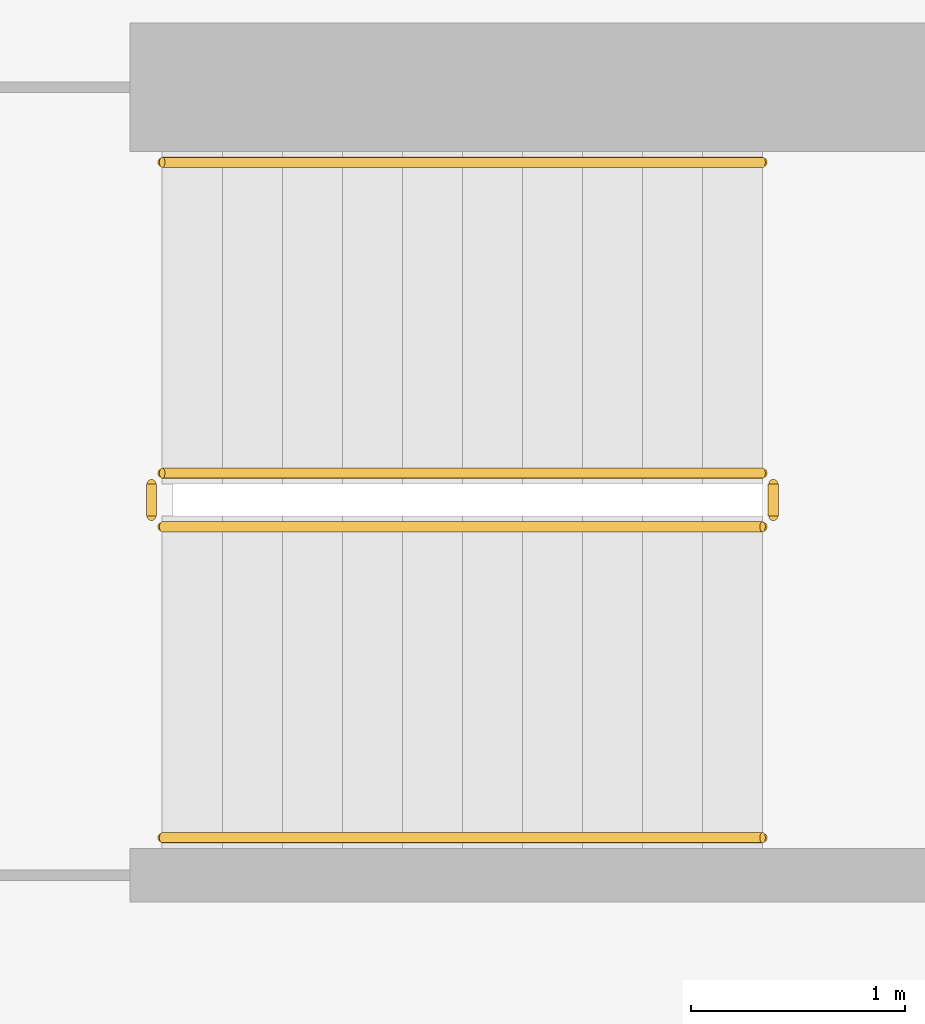
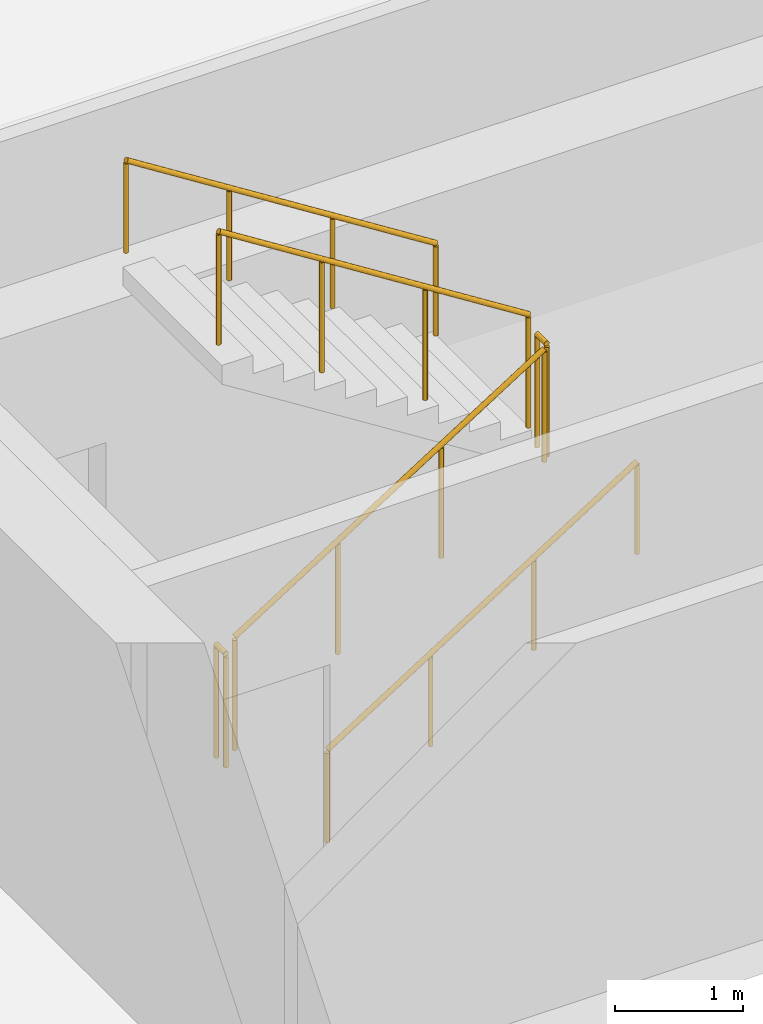
# One storey, part 9 of 11: 6 railings.
"""IFC4 building model written with IfcOpenShell, lengths in metres."""

from ifc_helpers import new_model, si_unit, direction, frame, origin, origin_2d, place, context, subcontext, project, spatial, circle, extrude, material, type_object, element, save


model = new_model("IFC4")

# Units and contexts
model_context = context("Model", 3, precision=1e-05, world=origin(), true_north=direction((0.0, 1.0)))
body_context = subcontext(model_context, "Body", "Model", "MODEL_VIEW")
ifc_project = project(units=[si_unit("LENGTHUNIT", "METRE"), si_unit("AREAUNIT", "SQUARE_METRE"), si_unit("VOLUMEUNIT", "CUBIC_METRE"), si_unit("PLANEANGLEUNIT", "RADIAN"), si_unit("MASSUNIT", "GRAM", prefix="KILO")], contexts=[model_context])

# Site, building, storey
site_placement = place(None, origin())
site = spatial("IfcSite", under=ifc_project, at=site_placement, CompositionType="ELEMENT")
building_placement = place(site_placement, origin())
building = spatial("IfcBuilding", under=site, at=building_placement, Name="Dhurran Vertical Campus", CompositionType="ELEMENT")
storey_placement = place(building_placement, frame((0.0, 0.0, 278.10009765625)))
storey = spatial("IfcBuildingStorey", under=building, at=storey_placement, Name="L69", CompositionType="ELEMENT", Elevation=278.10009765625)

# Railings
ifc_material_1 = material(Name="Stainless steel balustrade", Category="steel")
railing_type_1 = type_object("IfcRailingType", Name="co-RL-GUARD-1100", PredefinedType="GUARDRAIL", material=ifc_material_1)
railing_1_placement = place(storey_placement, frame((-11.10009765625, 8.89990234375, 0.17724609375)))
element("IfcRailing", 1, at=railing_1_placement, inside=storey, type_object=railing_type_1, Name="L69 ST1 stair guard 1", PredefinedType="GUARDRAIL", context=body_context, shape_type="SweptSolid", body=[
    extrude(circle(Radius=0.02392578125, at=origin_2d()), frame((0.0, 0.0, 1.076171875), z_axis=(0.844908973607, 0.0, 0.534910110503), x_axis=(0.0, 1.0, 0.0)), (0.0, 0.0, 1.0), 3.31396484375),
    extrude(circle(Radius=0.02099609375, at=origin_2d()), origin(), (0.0, 0.0, 1.0), 1.052001953125),
    extrude(circle(Radius=0.02099609375, at=origin_2d()), frame((0.933349609375, 0.0, 0.5908203125)), (0.0, 0.0, 1.0), 1.052001953125),
    extrude(circle(Radius=0.02099609375, at=origin_2d()), frame((1.86669921875, 0.0, 1.181884765625)), (0.0, 0.0, 1.0), 1.052001953125),
    extrude(circle(Radius=0.02099609375, at=origin_2d()), frame((2.800048828125, 0.0, 1.772705078125)), (0.0, 0.0, 1.0), 1.052001953125),
])
railing_2_placement = place(storey_placement, frame((-8.25, 8.949951171875, 1.949951171875)))
element("IfcRailing", 2, at=railing_2_placement, inside=storey, type_object=railing_type_1, Name="L69 ST1 stair guard 2", PredefinedType="GUARDRAIL", context=body_context, shape_type="SweptSolid", body=[
    extrude(circle(Radius=0.02392578125, at=origin_2d()), frame((0.0, 0.0, 1.076171875), z_axis=(0.0, 1.0, 0.0), x_axis=(-1.0, 0.0, 0.0)), (0.0, 0.0, 1.0), 0.150146484375),
    extrude(circle(Radius=0.02099609375, at=origin_2d()), origin(), (0.0, 0.0, 1.0), 1.052001953125),
    extrude(circle(Radius=0.02099609375, at=origin_2d()), frame((0.0, 0.150146484375, 0.0)), (0.0, 0.0, 1.0), 1.052001953125),
])
railing_3_placement = place(storey_placement, frame((-8.300048828125, 9.14990234375, 2.127197265625)))
element("IfcRailing", 3, at=railing_3_placement, inside=storey, type_object=railing_type_1, Name="L69 ST1 stair guard 3", PredefinedType="GUARDRAIL", context=body_context, shape_type="SweptSolid", body=[
    extrude(circle(Radius=0.02392578125, at=origin_2d()), frame((0.0, 0.0, 1.076171875), z_axis=(-0.844908973607, 0.0, 0.534910110503), x_axis=(0.0, -1.0, 0.0)), (0.0, 0.0, 1.0), 3.31396484375),
    extrude(circle(Radius=0.02099609375, at=origin_2d()), origin(), (0.0, 0.0, 1.0), 1.052001953125),
    extrude(circle(Radius=0.02099609375, at=origin_2d()), frame((-0.933349609375, 0.0, 0.5908203125)), (0.0, 0.0, 1.0), 1.052001953125),
    extrude(circle(Radius=0.02099609375, at=origin_2d()), frame((-1.86669921875, 0.0, 1.181884765625)), (0.0, 0.0, 1.0), 1.052001953125),
    extrude(circle(Radius=0.02099609375, at=origin_2d()), frame((-2.800048828125, 0.0, 1.772705078125)), (0.0, 0.0, 1.0), 1.052001953125),
])
railing_4_placement = place(storey_placement, frame((-11.14990234375, 8.949951171875, 0.0)))
element("IfcRailing", 4, at=railing_4_placement, inside=storey, type_object=railing_type_1, Name="L69 ST1 stair guard 4", PredefinedType="GUARDRAIL", context=body_context, shape_type="SweptSolid", body=[
    extrude(circle(Radius=0.02392578125, at=origin_2d()), frame((0.0, 0.0, 1.076171875), z_axis=(0.0, 1.0, 0.0), x_axis=(-1.0, 0.0, 0.0)), (0.0, 0.0, 1.0), 0.150146484375),
    extrude(circle(Radius=0.02099609375, at=origin_2d()), origin(), (0.0, 0.0, 1.0), 1.052001953125),
    extrude(circle(Radius=0.02099609375, at=origin_2d()), frame((0.0, 0.150146484375, 0.0)), (0.0, 0.0, 1.0), 1.052001953125),
])
ifc_material_2 = material(Name="Stainless steel handrail", Category="steel")
railing_type_2 = type_object("IfcRailingType", Name="co-RL-HANDRAIL-900", PredefinedType="HANDRAIL", material=ifc_material_2)
railing_5_placement = place(storey_placement, frame((-11.10009765625, 7.449951171875, 0.17724609375)))
element("IfcRailing", 5, at=railing_5_placement, inside=storey, type_object=railing_type_2, Name="L69 ST1 stair handrail 1", PredefinedType="HANDRAIL", context=body_context, shape_type="SweptSolid", body=[
    extrude(circle(Radius=0.02392578125, at=origin_2d()), frame((0.0, 0.0, 0.8759765625), z_axis=(0.844908973607, 0.0, 0.534910110503), x_axis=(0.0, 1.0, 0.0)), (0.0, 0.0, 1.0), 3.31396484375),
    extrude(circle(Radius=0.02099609375, at=origin_2d()), origin(), (0.0, 0.0, 1.0), 0.851806640625),
    extrude(circle(Radius=0.02099609375, at=origin_2d()), frame((0.933349609375, 0.0, 0.5908203125)), (0.0, 0.0, 1.0), 0.851806640625),
    extrude(circle(Radius=0.02099609375, at=origin_2d()), frame((1.86669921875, 0.0, 1.181884765625)), (0.0, 0.0, 1.0), 0.851806640625),
    extrude(circle(Radius=0.02099609375, at=origin_2d()), frame((2.800048828125, 0.0, 1.772705078125)), (0.0, 0.0, 1.0), 0.851806640625),
])
railing_6_placement = place(storey_placement, frame((-8.300048828125, 10.60009765625, 2.127197265625)))
element("IfcRailing", 6, at=railing_6_placement, inside=storey, type_object=railing_type_2, Name="L69 ST1 stair handrail 2", PredefinedType="HANDRAIL", context=body_context, shape_type="SweptSolid", body=[
    extrude(circle(Radius=0.02392578125, at=origin_2d()), frame((0.0, 0.0, 0.8759765625), z_axis=(-0.844908973607, 0.0, 0.534910110503), x_axis=(0.0, -1.0, 0.0)), (0.0, 0.0, 1.0), 3.31396484375),
    extrude(circle(Radius=0.02099609375, at=origin_2d()), origin(), (0.0, 0.0, 1.0), 0.851806640625),
    extrude(circle(Radius=0.02099609375, at=origin_2d()), frame((-0.933349609375, 0.0, 0.5908203125)), (0.0, 0.0, 1.0), 0.851806640625),
    extrude(circle(Radius=0.02099609375, at=origin_2d()), frame((-1.86669921875, 0.0, 1.181884765625)), (0.0, 0.0, 1.0), 0.851806640625),
    extrude(circle(Radius=0.02099609375, at=origin_2d()), frame((-2.800048828125, 0.0, 1.772705078125)), (0.0, 0.0, 1.0), 0.851806640625),
])

save(model, "model.ifc")
